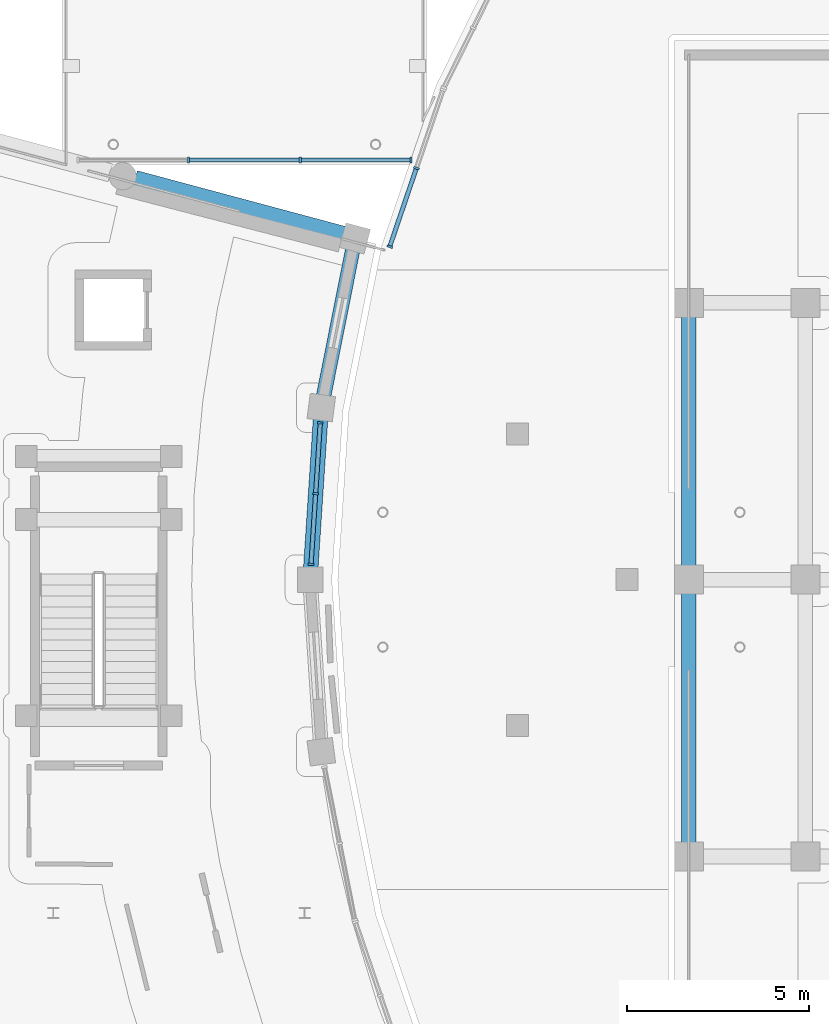
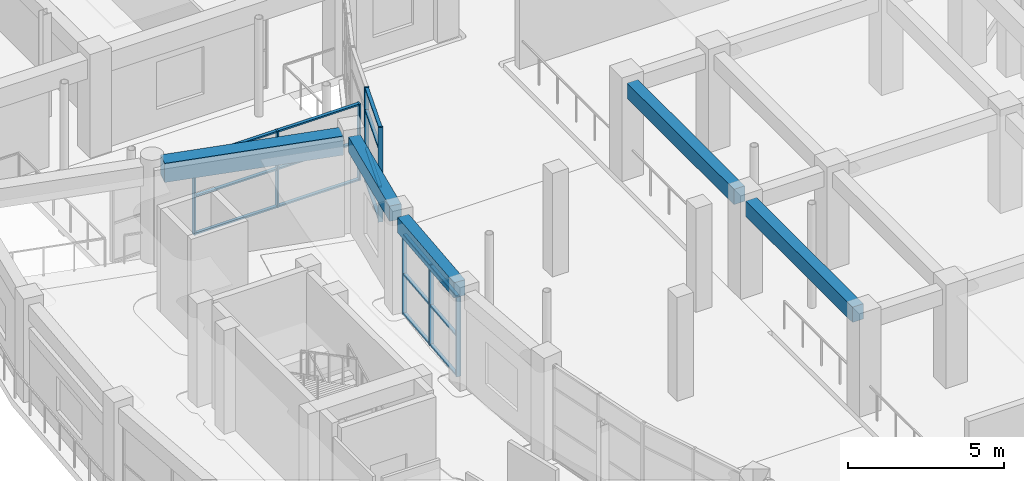
# One storey, part 26 of 87: 24 members, 5 beams, 3 elements without a shape of their own.
"""IFC4 building model written with IfcOpenShell, lengths in metres."""

from ifc_helpers import new_model, si_unit, direction, frame, origin, origin_2d, place, context, subcontext, project, spatial, rectangle, extrude, material, material_profile, profile_set, type_object, element, aggregate, save


model = new_model("IFC4")

# Units and contexts
model_context = context("Model", 3, precision=1e-05, world=origin(), true_north=direction((0.0, 1.0)))
body_context = subcontext(model_context, "Body", "Model", "MODEL_VIEW")
ifc_project = project(units=[si_unit("LENGTHUNIT", "METRE"), si_unit("AREAUNIT", "SQUARE_METRE"), si_unit("VOLUMEUNIT", "CUBIC_METRE"), si_unit("PLANEANGLEUNIT", "RADIAN"), si_unit("MASSUNIT", "GRAM", prefix="KILO")], contexts=[model_context])

# Site, building, storey
site_placement = place(None, origin())
site = spatial("IfcSite", under=ifc_project, at=site_placement, CompositionType="ELEMENT")
building_placement = place(site_placement, origin())
building = spatial("IfcBuilding", under=site, at=building_placement, Name="Saryqyr Civic Hall", CompositionType="ELEMENT")
storey_placement = place(building_placement, frame((0.0, 0.0, 5.10009765625)))
storey = spatial("IfcBuildingStorey", under=building, at=storey_placement, Name="L01", CompositionType="ELEMENT", Elevation=5.10009765625)

# Curtain wall, members
ifc_material_1 = material(Name="Anodised aluminium and triple low-E glass", Category="aluminium")
curtain_wall_type_1 = type_object("IfcCurtainWallType", Name="ENV-CW-STD-13", PredefinedType="NOTDEFINED", material=ifc_material_1)
curtain_wall_1_placement = place(storey_placement, origin())
curtain_wall_1 = element("IfcCurtainWall", 1, at=curtain_wall_1_placement, inside=storey, type_object=curtain_wall_type_1, Name="Curtain wall V4-CWI-L01-01", PredefinedType="NOTDEFINED")
ifc_material_2 = material(Name="Anodised aluminium", Category="aluminium")
ifc_material_profile_1 = material_profile(ifc_material_2, rectangle(XDim=0.06005859375, YDim=0.159912109375, at=origin_2d()), Name="ALU MULLION 60x160")
ifc_profile_set_1 = profile_set([ifc_material_profile_1], Name="Anodised aluminium")
member_type_1 = type_object("IfcMemberType", Name="ENV-CW-MUL-180", PredefinedType="MULLION", material=ifc_profile_set_1)
member_1_placement = place(storey_placement, frame((21.08203125, 88.30517578125, 0.0), z_axis=(0.0, 0.0, 1.0), x_axis=(-0.065385760685, -0.997860061481, 0.0)))
member_1 = element("IfcMember", 2, at=member_1_placement, type_object=member_type_1, Name="CW-13 mullion 1", PredefinedType="MULLION", context=body_context, shape_type="SweptSolid", body=[
    extrude(rectangle(XDim=0.06005859375, YDim=0.159912109375, at=origin_2d()), origin(), (0.0, 0.0, 1.0), 3.14501953125),
])
member_2_placement = place(storey_placement, frame((20.954833984375, 86.362548828125, 0.0), z_axis=(0.0, 0.0, 1.0), x_axis=(-0.065385760685, -0.997860061481, 0.0)))
member_2 = element("IfcMember", 3, at=member_2_placement, type_object=member_type_1, Name="CW-13 mullion 2", PredefinedType="MULLION", context=body_context, shape_type="SweptSolid", body=[
    extrude(rectangle(XDim=0.06005859375, YDim=0.159912109375, at=origin_2d()), origin(), (0.0, 0.0, 1.0), 3.14501953125),
])
member_3_placement = place(storey_placement, frame((20.82763671875, 84.419921875, 0.0), z_axis=(0.0, 0.0, 1.0), x_axis=(-0.065385760685, -0.997860061481, 0.0)))
member_3 = element("IfcMember", 4, at=member_3_placement, type_object=member_type_1, Name="CW-13 mullion 3", PredefinedType="MULLION", context=body_context, shape_type="SweptSolid", body=[
    extrude(rectangle(XDim=0.06005859375, YDim=0.159912109375, at=origin_2d()), origin(), (0.0, 0.0, 1.0), 3.14501953125),
])

curtain_wall_type_2 = type_object("IfcCurtainWallType", Name="ENV-CW-STD-74", PredefinedType="NOTDEFINED", material=ifc_material_1)
curtain_wall_2_placement = place(storey_placement, origin())
curtain_wall_2 = element("IfcCurtainWall", 5, at=curtain_wall_2_placement, inside=storey, type_object=curtain_wall_type_2, Name="Curtain wall V2-PERIM-CW-L01-21", PredefinedType="NOTDEFINED")
member_4_placement = place(storey_placement, frame((22.98974609375, 93.14404296875, 0.0), z_axis=(0.0, 0.0, 1.0), x_axis=(0.321445459178, 0.946928094828, 0.0)))
member_4 = element("IfcMember", 6, at=member_4_placement, type_object=member_type_1, Name="CW-74 mullion 1", PredefinedType="MULLION", context=body_context, shape_type="SweptSolid", body=[
    extrude(rectangle(XDim=0.06005859375, YDim=0.159912109375, at=origin_2d()), origin(), (0.0, 0.0, 1.0), 3.699951171875),
])
member_5_placement = place(storey_placement, frame((23.720458984375, 95.296875, 0.0), z_axis=(0.0, 0.0, 1.0), x_axis=(0.321445459178, 0.946928094828, 0.0)))
member_5 = element("IfcMember", 7, at=member_5_placement, type_object=member_type_1, Name="CW-74 mullion 2", PredefinedType="MULLION", context=body_context, shape_type="SweptSolid", body=[
    extrude(rectangle(XDim=0.06005859375, YDim=0.159912109375, at=origin_2d()), origin(), (0.0, 0.0, 1.0), 3.699951171875),
])

curtain_wall_type_3 = type_object("IfcCurtainWallType", Name="ENV-CW-STD-84", PredefinedType="NOTDEFINED", material=ifc_material_1)
curtain_wall_3_placement = place(storey_placement, origin())
curtain_wall_3 = element("IfcCurtainWall", 8, at=curtain_wall_3_placement, inside=storey, type_object=curtain_wall_type_3, Name="Curtain wall BR-NW-CW1-L01", PredefinedType="NOTDEFINED")
member_6_placement = place(storey_placement, frame((23.570068359375, 95.52001953125, 0.0), z_axis=(0.0, 0.0, 1.0), x_axis=(-1.0, 0.0, 0.0)))
member_6 = element("IfcMember", 9, at=member_6_placement, type_object=member_type_1, Name="CW-84 mullion 1", PredefinedType="MULLION", context=body_context, shape_type="SweptSolid", body=[
    extrude(rectangle(XDim=0.06005859375, YDim=0.159912109375, at=origin_2d()), origin(), (0.0, 0.0, 1.0), 2.994873046875),
])
member_7_placement = place(storey_placement, frame((20.533447265625, 95.52001953125, 0.0), z_axis=(0.0, 0.0, 1.0), x_axis=(-1.0, 0.0, 0.0)))
member_7 = element("IfcMember", 10, at=member_7_placement, type_object=member_type_1, Name="CW-84 mullion 2", PredefinedType="MULLION", context=body_context, shape_type="SweptSolid", body=[
    extrude(rectangle(XDim=0.06005859375, YDim=0.159912109375, at=origin_2d()), origin(), (0.0, 0.0, 1.0), 2.994873046875),
])
member_8_placement = place(storey_placement, frame((17.466552734375, 95.52001953125, 0.0), z_axis=(0.0, 0.0, 1.0), x_axis=(-1.0, 0.0, 0.0)))
member_8 = element("IfcMember", 11, at=member_8_placement, type_object=member_type_1, Name="CW-84 mullion 3", PredefinedType="MULLION", context=body_context, shape_type="SweptSolid", body=[
    extrude(rectangle(XDim=0.06005859375, YDim=0.159912109375, at=origin_2d()), origin(), (0.0, 0.0, 1.0), 2.994873046875),
])

# Member
ifc_material_profile_2 = material_profile(ifc_material_2, rectangle(XDim=0.1201171875, YDim=0.06005859375, at=origin_2d()), Name="ALU TRANSOM 120x60")
ifc_profile_set_2 = profile_set([ifc_material_profile_2], Name="Anodised aluminium")
member_type_2 = type_object("IfcMemberType", Name="ENV-CW-TRN-150", PredefinedType="USERDEFINED", material=ifc_profile_set_2)
member_9_placement = place(storey_placement, frame((21.080078125, 88.275146484375, 0.02978515625), z_axis=(-0.065342422802, -0.997862900294, 0.0), x_axis=(0.997862900294, -0.065342422802, 0.0)))
member_9 = element("IfcMember", 12, at=member_9_placement, type_object=member_type_2, Name="CW-13 transom 1.1", ObjectType="TRANSOM", PredefinedType="USERDEFINED", context=body_context, shape_type="SweptSolid", body=[
    extrude(rectangle(XDim=0.1201171875, YDim=0.06005859375, at=origin_2d()), origin(), (0.0, 0.0, 1.0), 1.886962890625),
])

member_10_placement = place(storey_placement, frame((21.080078125, 88.275146484375, 1.572021484375), z_axis=(-0.065342422802, -0.997862900294, 0.0), x_axis=(0.997862900294, -0.065342422802, 0.0)))
member_10 = element("IfcMember", 13, at=member_10_placement, type_object=member_type_2, Name="CW-13 transom 1.2", ObjectType="TRANSOM", PredefinedType="USERDEFINED", context=body_context, shape_type="SweptSolid", body=[
    extrude(rectangle(XDim=0.1201171875, YDim=0.06005859375, at=origin_2d()), origin(), (0.0, 0.0, 1.0), 1.886962890625),
])

member_11_placement = place(storey_placement, frame((21.080078125, 88.275146484375, 3.114990234375), z_axis=(-0.065342422802, -0.997862900294, 0.0), x_axis=(0.997862900294, -0.065342422802, 0.0)))
member_11 = element("IfcMember", 14, at=member_11_placement, type_object=member_type_2, Name="CW-13 transom 1.3", ObjectType="TRANSOM", PredefinedType="USERDEFINED", context=body_context, shape_type="SweptSolid", body=[
    extrude(rectangle(XDim=0.1201171875, YDim=0.06005859375, at=origin_2d()), origin(), (0.0, 0.0, 1.0), 1.886962890625),
])

member_12_placement = place(storey_placement, frame((20.952880859375, 86.33251953125, 0.02978515625), z_axis=(-0.065350860538, -0.997862347735, 0.0), x_axis=(0.997862347735, -0.065350860538, 0.0)))
member_12 = element("IfcMember", 15, at=member_12_placement, type_object=member_type_2, Name="CW-13 transom 2.1", ObjectType="TRANSOM", PredefinedType="USERDEFINED", context=body_context, shape_type="SweptSolid", body=[
    extrude(rectangle(XDim=0.1201171875, YDim=0.06005859375, at=origin_2d()), origin(), (0.0, 0.0, 1.0), 1.88671875),
])

member_13_placement = place(storey_placement, frame((20.952880859375, 86.33251953125, 1.572021484375), z_axis=(-0.065350860538, -0.997862347735, 0.0), x_axis=(0.997862347735, -0.065350860538, 0.0)))
member_13 = element("IfcMember", 16, at=member_13_placement, type_object=member_type_2, Name="CW-13 transom 2.2", ObjectType="TRANSOM", PredefinedType="USERDEFINED", context=body_context, shape_type="SweptSolid", body=[
    extrude(rectangle(XDim=0.1201171875, YDim=0.06005859375, at=origin_2d()), origin(), (0.0, 0.0, 1.0), 1.88671875),
])

member_14_placement = place(storey_placement, frame((20.952880859375, 86.33251953125, 3.114990234375), z_axis=(-0.065350860538, -0.997862347735, 0.0), x_axis=(0.997862347735, -0.065350860538, 0.0)))
member_14 = element("IfcMember", 17, at=member_14_placement, type_object=member_type_2, Name="CW-13 transom 2.3", ObjectType="TRANSOM", PredefinedType="USERDEFINED", context=body_context, shape_type="SweptSolid", body=[
    extrude(rectangle(XDim=0.1201171875, YDim=0.06005859375, at=origin_2d()), origin(), (0.0, 0.0, 1.0), 1.88671875),
])

aggregate(curtain_wall_1, [member_1, member_2, member_3, member_9, member_10, member_11, member_12, member_13, member_14])

member_15_placement = place(storey_placement, frame((22.999267578125, 93.17236328125, 0.02978515625), z_axis=(0.321483543904, 0.946915165682, 0.0), x_axis=(-0.946915165682, 0.321483543904, 0.0)))
member_15 = element("IfcMember", 18, at=member_15_placement, type_object=member_type_2, Name="CW-74 transom 1.1", ObjectType="TRANSOM", PredefinedType="USERDEFINED", context=body_context, shape_type="SweptSolid", body=[
    extrude(rectangle(XDim=0.1201171875, YDim=0.06005859375, at=origin_2d()), origin(), (0.0, 0.0, 1.0), 2.213623046875),
])

member_16_placement = place(storey_placement, frame((22.999267578125, 93.17236328125, 1.331787109375), z_axis=(0.321483543904, 0.946915165682, 0.0), x_axis=(-0.946915165682, 0.321483543904, 0.0)))
member_16 = element("IfcMember", 19, at=member_16_placement, type_object=member_type_2, Name="CW-74 transom 1.2", ObjectType="TRANSOM", PredefinedType="USERDEFINED", context=body_context, shape_type="SweptSolid", body=[
    extrude(rectangle(XDim=0.1201171875, YDim=0.06005859375, at=origin_2d()), origin(), (0.0, 0.0, 1.0), 2.213623046875),
])

member_17_placement = place(storey_placement, frame((22.999267578125, 93.17236328125, 2.81201171875), z_axis=(0.321483543904, 0.946915165682, 0.0), x_axis=(-0.946915165682, 0.321483543904, 0.0)))
member_17 = element("IfcMember", 20, at=member_17_placement, type_object=member_type_2, Name="CW-74 transom 1.3", ObjectType="TRANSOM", PredefinedType="USERDEFINED", context=body_context, shape_type="SweptSolid", body=[
    extrude(rectangle(XDim=0.1201171875, YDim=0.06005859375, at=origin_2d()), origin(), (0.0, 0.0, 1.0), 2.213623046875),
])

member_18_placement = place(storey_placement, frame((22.999267578125, 93.17236328125, 3.669921875), z_axis=(0.321483543904, 0.946915165682, 0.0), x_axis=(-0.946915165682, 0.321483543904, 0.0)))
member_18 = element("IfcMember", 21, at=member_18_placement, type_object=member_type_2, Name="CW-74 transom 1.4", ObjectType="TRANSOM", PredefinedType="USERDEFINED", context=body_context, shape_type="SweptSolid", body=[
    extrude(rectangle(XDim=0.1201171875, YDim=0.06005859375, at=origin_2d()), origin(), (0.0, 0.0, 1.0), 2.213623046875),
])

aggregate(curtain_wall_2, [member_4, member_5, member_15, member_16, member_17, member_18])

member_19_placement = place(storey_placement, frame((23.5400390625, 95.52001953125, 0.02978515625), z_axis=(-1.0, 0.0, 0.0), x_axis=(0.0, -1.0, 0.0)))
member_19 = element("IfcMember", 22, at=member_19_placement, type_object=member_type_2, Name="CW-84 transom 1.1", ObjectType="TRANSOM", PredefinedType="USERDEFINED", context=body_context, shape_type="SweptSolid", body=[
    extrude(rectangle(XDim=0.1201171875, YDim=0.06005859375, at=origin_2d()), origin(), (0.0, 0.0, 1.0), 2.976806640625),
])

member_20_placement = place(storey_placement, frame((23.5400390625, 95.52001953125, 1.497802734375), z_axis=(-1.0, 0.0, 0.0), x_axis=(0.0, -1.0, 0.0)))
member_20 = element("IfcMember", 23, at=member_20_placement, type_object=member_type_2, Name="CW-84 transom 1.2", ObjectType="TRANSOM", PredefinedType="USERDEFINED", context=body_context, shape_type="SweptSolid", body=[
    extrude(rectangle(XDim=0.1201171875, YDim=0.06005859375, at=origin_2d()), origin(), (0.0, 0.0, 1.0), 2.976806640625),
])

member_21_placement = place(storey_placement, frame((23.5400390625, 95.52001953125, 2.96484375), z_axis=(-1.0, 0.0, 0.0), x_axis=(0.0, -1.0, 0.0)))
member_21 = element("IfcMember", 24, at=member_21_placement, type_object=member_type_2, Name="CW-84 transom 1.3", ObjectType="TRANSOM", PredefinedType="USERDEFINED", context=body_context, shape_type="SweptSolid", body=[
    extrude(rectangle(XDim=0.1201171875, YDim=0.06005859375, at=origin_2d()), origin(), (0.0, 0.0, 1.0), 2.976806640625),
])

member_22_placement = place(storey_placement, frame((20.50341796875, 95.52001953125, 0.02978515625), z_axis=(-1.0, 0.0, 0.0), x_axis=(0.0, -1.0, 0.0)))
member_22 = element("IfcMember", 25, at=member_22_placement, type_object=member_type_2, Name="CW-84 transom 2.1", ObjectType="TRANSOM", PredefinedType="USERDEFINED", context=body_context, shape_type="SweptSolid", body=[
    extrude(rectangle(XDim=0.1201171875, YDim=0.06005859375, at=origin_2d()), origin(), (0.0, 0.0, 1.0), 3.0068359375),
])

member_23_placement = place(storey_placement, frame((20.50341796875, 95.52001953125, 1.497802734375), z_axis=(-1.0, 0.0, 0.0), x_axis=(0.0, -1.0, 0.0)))
member_23 = element("IfcMember", 26, at=member_23_placement, type_object=member_type_2, Name="CW-84 transom 2.2", ObjectType="TRANSOM", PredefinedType="USERDEFINED", context=body_context, shape_type="SweptSolid", body=[
    extrude(rectangle(XDim=0.1201171875, YDim=0.06005859375, at=origin_2d()), origin(), (0.0, 0.0, 1.0), 3.0068359375),
])

member_24_placement = place(storey_placement, frame((20.50341796875, 95.52001953125, 2.96484375), z_axis=(-1.0, 0.0, 0.0), x_axis=(0.0, -1.0, 0.0)))
member_24 = element("IfcMember", 27, at=member_24_placement, type_object=member_type_2, Name="CW-84 transom 2.3", ObjectType="TRANSOM", PredefinedType="USERDEFINED", context=body_context, shape_type="SweptSolid", body=[
    extrude(rectangle(XDim=0.1201171875, YDim=0.06005859375, at=origin_2d()), origin(), (0.0, 0.0, 1.0), 3.0068359375),
])

aggregate(curtain_wall_3, [member_6, member_7, member_8, member_19, member_20, member_21, member_22, member_23, member_24])

# Beams
ifc_material_3 = material(Name="Concrete C35/45", Category="concrete")
ifc_material_profile_3 = material_profile(ifc_material_3, rectangle(XDim=0.39990234375, YDim=0.60009765625, at=origin_2d()), Name="RC 400x600")
ifc_profile_set_3 = profile_set([ifc_material_profile_3], Name="Concrete C35/45")
beam_type_1 = type_object("IfcBeamType", Name="STR-BM-RC400x600", PredefinedType="BEAM", material=ifc_profile_set_3)
for number, where, z_axis, x_axis, name in (
    (28, (31.199951171875, 76.77490234375, 3.469970703125), (0.0, 1.0, 0.0), (-1.0, 0.0, 0.0), "Beam V1-TBM-13-L01"),
    (29, (31.199951171875, 84.375, 3.469970703125), (0.0, 1.0, 0.0), (-1.0, 0.0, 0.0), "Beam V1-TBM-14-L01"),
):
    element("IfcBeam", number, at=place(storey_placement, frame(where, z_axis=z_axis, x_axis=x_axis)), inside=storey, type_object=beam_type_1, Name=name, PredefinedType="BEAM", context=body_context, shape_type="SweptSolid", body=[
        extrude(rectangle(XDim=0.39990234375, YDim=0.60009765625, at=origin_2d()), origin(), (0.0, 0.0, 1.0), 6.85009765625),
    ])
ifc_material_profile_4 = material_profile(ifc_material_3, rectangle(XDim=0.39990234375, YDim=0.60009765625, at=origin_2d()), Name="RC 400x600")
ifc_profile_set_4 = profile_set([ifc_material_profile_4], Name="Concrete C35/45")
beam_type_2 = type_object("IfcBeamType", Name="STR-BM-RC400x600-EXT", PredefinedType="BEAM", material=ifc_profile_set_4)
for number, where, z_axis, x_axis, name in (
    (30, (21.97021484375, 93.05029296875, 3.469970703125), (-0.195127640114, -0.980777856634, 0.0), (0.980777856634, -0.195127640114, 0.0), "Beam V4-CBM-IN00-L01"),
    (31, (21.08837890625, 88.400634765625, 3.469970703125), (-0.065380564159, -0.997860401975, 0.0), (0.997860401975, -0.065380564159, 0.0), "Beam V4-CBM-IN01-L01"),
):
    element("IfcBeam", number, at=place(storey_placement, frame(where, z_axis=z_axis, x_axis=x_axis)), inside=storey, type_object=beam_type_2, Name=name, PredefinedType="BEAM", context=body_context, shape_type="SweptSolid", body=[
        extrude(rectangle(XDim=0.39990234375, YDim=0.60009765625, at=origin_2d()), origin(), (0.0, 0.0, 1.0), 4.085205078125),
    ])
ifc_material_4 = material(Name="Concrete C40/50", Category="concrete")
ifc_material_profile_5 = material_profile(ifc_material_4, rectangle(XDim=0.5, YDim=0.75, at=origin_2d()), Name="RC 500x750")
ifc_profile_set_5 = profile_set([ifc_material_profile_5], Name="Concrete C40/50")
beam_type_3 = type_object("IfcBeamType", Name="STR-BM-RC500x750", PredefinedType="BEAM", material=ifc_profile_set_5)
beam_placement = place(storey_placement, frame((21.719482421875, 93.453369140625, 3.39501953125), z_axis=(-0.965925795588, 0.258819159681, 0.0), x_axis=(-0.258819159681, -0.965925795588, 0.0)))
element("IfcBeam", 32, at=beam_placement, inside=storey, type_object=beam_type_3, Name="Beam V4-RBM-A00-L01", PredefinedType="BEAM", context=body_context, shape_type="SweptSolid", body=[
    extrude(rectangle(XDim=0.5, YDim=0.75, at=origin_2d()), origin(), (0.0, 0.0, 1.0), 5.9248046875),
])

save(model, "model.ifc")
